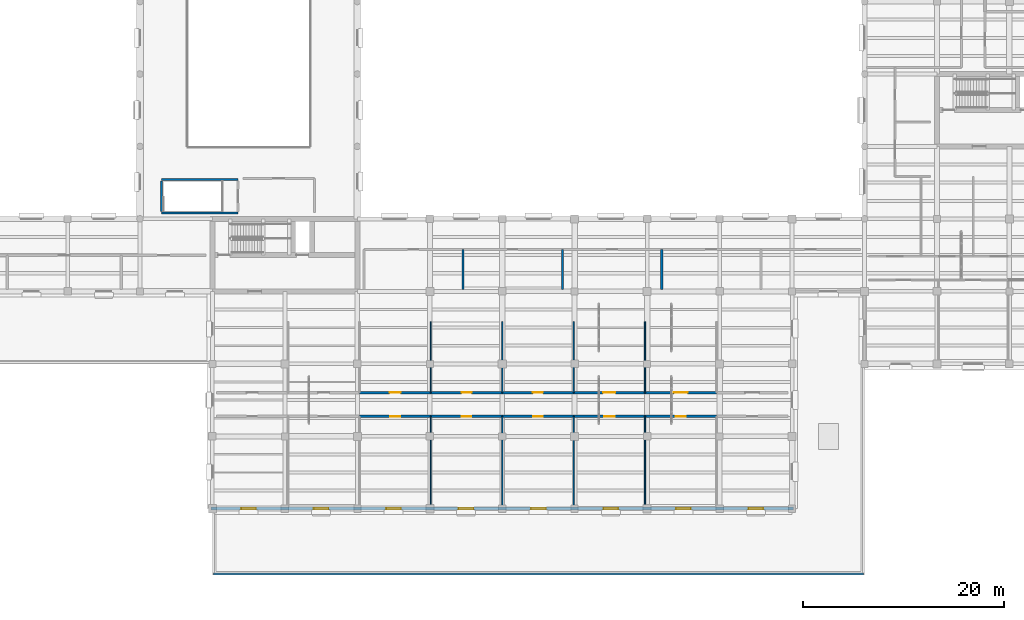
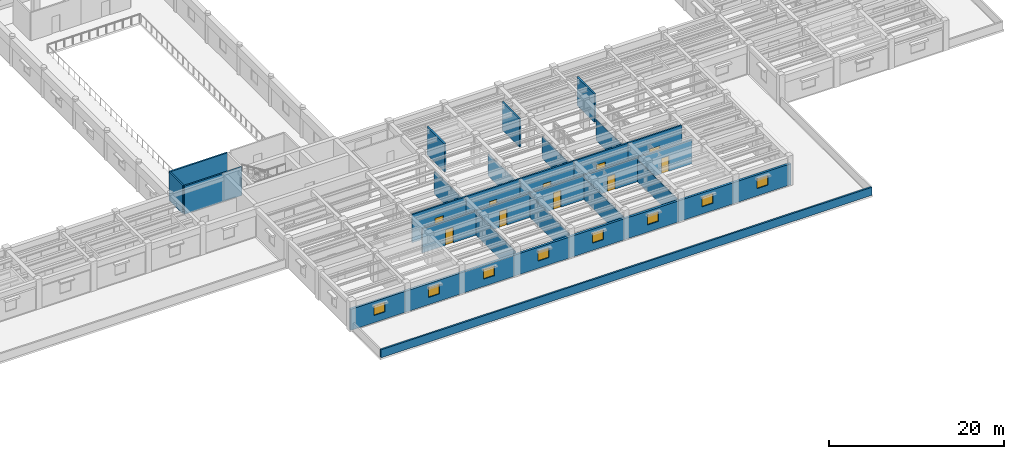
# One storey, part 51 of 76: 26 walls, 10 doors, 8 windows, 18 openings.
"""IFC4 building model written with IfcOpenShell, lengths in metres."""

import ifcopenshell
import ifcopenshell.guid

model = None  # the IFC model being written
_history = None  # IfcOwnerHistory: only IFC2X3 demands one
_inside = {}  # id of a spatial element -> (the spatial element, [elements in it])
_under = {}  # id of a project, library or spatial element -> (it, [spatial elements below it])
_declared = {}  # id of a project -> (the project, [libraries it declares])
_typed = {}  # id of a type object -> (the type object, [elements of that type])
_made_of = {}  # id of a material, layer set ... -> (it, [elements and type objects made of it])


def new_model(schema):
    """Start an empty IFC model of exactly this schema.

    Asked for "IFC4X3", IfcOpenShell would pick the latest addendum, in which some entities
    have other attributes; the version numbers below select the first issue.
    IFC2X3 requires an IfcOwnerHistory on every rooted entity: one is made here for all.
    """
    global model, _history
    if schema == "IFC4X3":
        model = ifcopenshell.file(schema_version=(4, 3, 0, 0))
    else:
        model = ifcopenshell.file(schema=schema)
    _inside.clear()
    _under.clear()
    _declared.clear()
    _typed.clear()
    _made_of.clear()
    _history = None
    if model.schema == "IFC2X3":
        org = make("IfcOrganization", Name="unknown")
        user = make(
            "IfcPersonAndOrganization",
            ThePerson=make("IfcPerson", FamilyName="unknown"),
            TheOrganization=org,
        )
        app = make(
            "IfcApplication",
            ApplicationDeveloper=org,
            Version="unknown",
            ApplicationFullName="unknown",
            ApplicationIdentifier="unknown",
        )
        _history = make(
            "IfcOwnerHistory",
            OwningUser=user,
            OwningApplication=app,
            ChangeAction="ADDED",
            CreationDate=0,
        )
    return model


def make(cls, **values):
    """One entity of the class cls with the attributes given. An attribute that is None is left unset."""
    return model.create_entity(
        cls, **{name: value for name, value in values.items() if value is not None}
    )


def rooted(cls, **values):
    """An entity with a GlobalId (a new one), such as an element, a storey or a relation."""
    return make(cls, GlobalId=ifcopenshell.guid.new(), OwnerHistory=_history, **values)


def si_unit(unit_type, name, prefix=None):
    """IfcSIUnit, for example si_unit("LENGTHUNIT", "METRE", prefix="MILLI")."""
    return make("IfcSIUnit", UnitType=unit_type, Prefix=prefix, Name=name)


def assignment(units):
    """IfcUnitAssignment: the units of a project."""
    return None if units is None else make("IfcUnitAssignment", Units=units)


def point(xyz):
    """IfcCartesianPoint."""
    return None if xyz is None else make("IfcCartesianPoint", Coordinates=xyz)


def direction(xyz):
    """IfcDirection."""
    return None if xyz is None else make("IfcDirection", DirectionRatios=xyz)


def frame(location, z_axis=None, x_axis=None):
    """IfcAxis2Placement3D, a coordinate frame: its origin and axes. An axis left out is left unset."""
    return make(
        "IfcAxis2Placement3D",
        Location=point(location),
        Axis=direction(z_axis),
        RefDirection=direction(x_axis),
    )


def frame_2d(location, x_axis=None):
    """IfcAxis2Placement2D, a coordinate frame in the plane: its origin and x axis."""
    return make(
        "IfcAxis2Placement2D", Location=point(location), RefDirection=direction(x_axis)
    )


def origin():
    """The frame at (0, 0, 0) with its axes left unset."""
    return frame((0.0, 0.0, 0.0))


def place(relative_to, where):
    """IfcLocalPlacement: puts the frame where relative to a parent placement (None: the world)."""
    return make(
        "IfcLocalPlacement", PlacementRelTo=relative_to, RelativePlacement=where
    )


def context(
    kind, dimensions, precision=None, world=None, true_north=None, identifier=None
):
    """IfcGeometricRepresentationContext, for example the 3D "Model" context."""
    return make(
        "IfcGeometricRepresentationContext",
        ContextIdentifier=identifier,
        ContextType=kind,
        CoordinateSpaceDimension=dimensions,
        Precision=precision,
        WorldCoordinateSystem=world,
        TrueNorth=true_north,
    )


def subcontext(parent, identifier, kind, view, scale=None):
    """IfcGeometricRepresentationSubContext, for example "Body" below "Model"."""
    return make(
        "IfcGeometricRepresentationSubContext",
        ContextIdentifier=identifier,
        ContextType=kind,
        ParentContext=parent,
        TargetScale=scale,
        TargetView=view,
    )


def project(units=None, contexts=None):
    """IfcProject with its units and contexts."""
    return rooted(
        "IfcProject",
        Name="project",
        RepresentationContexts=contexts,
        UnitsInContext=assignment(units),
    )


def spatial(cls, under=None, at=None, **own):
    """A site, building, storey or space (cls), placed at a placement, below another one or the project."""
    s = rooted(cls, ObjectPlacement=at, **own)
    if under is not None:
        _under.setdefault(under.id(), (under, []))[1].append(s)
    return s


def profile(cls, at=None, kind="AREA", **sizes):
    """A parametric profile (cls). Its sizes go by their IFC names, for example OverallWidth=200.0."""
    return make(cls, ProfileType=kind, Position=at, **sizes)


def rectangle(**sizes):
    """IfcRectangleProfileDef."""
    return profile("IfcRectangleProfileDef", **sizes)


def extrude(swept, where, along, depth):
    """IfcExtrudedAreaSolid: the profile swept, set in the frame where, extruded along a direction by depth."""
    return make(
        "IfcExtrudedAreaSolid",
        SweptArea=swept,
        Position=where,
        ExtrudedDirection=direction(along),
        Depth=depth,
    )


def shape(context_of_items, identifier, shape_type, items):
    """IfcShapeRepresentation: the items that make up one representation, for example the "Body"."""
    return make(
        "IfcShapeRepresentation",
        ContextOfItems=context_of_items,
        RepresentationIdentifier=identifier,
        RepresentationType=shape_type,
        Items=items,
    )


def material(Name=None, Category=None):
    """IfcMaterial."""
    return make("IfcMaterial", Name=Name, Category=Category)


def layer(
    of_material, thickness, ventilated=None, Name=None, Category=None, Priority=None
):
    """IfcMaterialLayer: one layer of a wall or slab, of a material (None: an air gap)."""
    return make(
        "IfcMaterialLayer",
        Material=of_material,
        LayerThickness=thickness,
        IsVentilated=ventilated,
        Name=Name,
        Category=Category,
        Priority=Priority,
    )


def layer_set(layers, Name=None):
    """IfcMaterialLayerSet."""
    return make("IfcMaterialLayerSet", MaterialLayers=layers, LayerSetName=Name)


def made_of(thing, what):
    """Note that an element or type object is made of a material, layer set ...; save() writes the relation."""
    if what is not None:
        _made_of.setdefault(what.id(), (what, []))[1].append(thing)
    return thing


def type_object(cls, material=None, **own):
    """A type object (cls), such as IfcWallType, which elements share."""
    return made_of(rooted(cls, **own), material)


def element(
    cls,
    number,
    at=None,
    inside=None,
    cuts=None,
    type_object=None,
    material=None,
    context=None,
    identifier="Body",
    shape_type=None,
    held_by="IfcProductDefinitionShape",
    body=None,
    shapes=None,
    **own,
):
    """One element of the class cls, such as IfcWall. Its Tag is "e" and its number.

    at: its placement. inside: the storey or other place that contains it. cuts: it is an
    opening in that element (IfcRelVoidsElement). A single representation is given by context,
    identifier, shape_type and body (its items); several are given by shapes. held_by: the class
    of the entity that holds the representations. save() writes the other relations.
    """
    e = rooted(cls, Tag="e%d" % number, ObjectPlacement=at, **own)
    if body is not None:
        shapes = [shape(context, identifier, shape_type, body)]
    if shapes is not None:
        e.Representation = make(held_by, Representations=shapes)
    if inside is not None:
        _inside.setdefault(inside.id(), (inside, []))[1].append(e)
    if cuts is not None:
        rooted(
            "IfcRelVoidsElement", RelatingBuildingElement=cuts, RelatedOpeningElement=e
        )
    if type_object is not None:
        _typed.setdefault(type_object.id(), (type_object, []))[1].append(e)
    return made_of(e, material)


def fill(opening, filler):
    """IfcRelFillsElement: the door or window that sits in an opening."""
    return rooted(
        "IfcRelFillsElement",
        RelatingOpeningElement=opening,
        RelatedBuildingElement=filler,
    )


def aggregate(whole, parts):
    """IfcRelAggregates: a whole, such as a stair, and the parts it consists of."""
    return rooted("IfcRelAggregates", RelatingObject=whole, RelatedObjects=parts)


def save(model, path):
    """Write the relations noted so far, then the file.

    IfcRelAggregates (storeys below a building ...), IfcRelContainedInSpatialStructure (elements
    in a storey), IfcRelDefinesByType, IfcRelAssociatesMaterial and IfcRelDeclares: one each for
    every whole, place, type object, material and project.
    """
    for whole, parts in _under.values():
        aggregate(whole, parts)
    for where, things in _inside.values():
        rooted(
            "IfcRelContainedInSpatialStructure",
            RelatedElements=things,
            RelatingStructure=where,
        )
    for kind, things in _typed.values():
        rooted("IfcRelDefinesByType", RelatedObjects=things, RelatingType=kind)
    for what, things in _made_of.values():
        rooted("IfcRelAssociatesMaterial", RelatedObjects=things, RelatingMaterial=what)
    for by, libraries in _declared.values():
        rooted("IfcRelDeclares", RelatingContext=by, RelatedDefinitions=libraries)
    model.write(path)


model = new_model("IFC4")

# Units and contexts
model_context = context("Model", 3, precision=1e-05, world=origin(), true_north=direction((0.0, 1.0)))
body_context = subcontext(model_context, "Body", "Model", "MODEL_VIEW")
ifc_project = project(units=[si_unit("LENGTHUNIT", "METRE"), si_unit("AREAUNIT", "SQUARE_METRE"), si_unit("VOLUMEUNIT", "CUBIC_METRE"), si_unit("PLANEANGLEUNIT", "RADIAN"), si_unit("MASSUNIT", "GRAM", prefix="KILO")], contexts=[model_context])

# Site, building, storey
site_placement = place(None, origin())
site = spatial("IfcSite", under=ifc_project, at=site_placement, CompositionType="ELEMENT")
building_placement = place(site_placement, origin())
building = spatial("IfcBuilding", under=site, at=building_placement, Name="Mithqara Police Headquarters", CompositionType="ELEMENT")
storey_placement = place(building_placement, frame((0.0, 0.0, 5.39990234375)))
storey = spatial("IfcBuildingStorey", under=building, at=storey_placement, Name="L01", CompositionType="ELEMENT", Elevation=5.39990234375)

# Wall, openings, windows
ifc_material_1 = material(Name="Ochre masonry cavity wall, 35 MPa", Category="masonry")
ifc_layer_1 = layer(ifc_material_1, 0.300048828125, Name="Ochre masonry cavity wall, 35 MPa")
ifc_layer_set_1 = layer_set([ifc_layer_1], Name="Ochre masonry cavity wall, 35 MPa")
wall_type_1 = type_object("IfcWallType", Name="EXT WALL OCHRE BRICK300", PredefinedType="SOLIDWALL", material=ifc_layer_set_1)
wall_1_placement = place(storey_placement, frame((79.64990234375, 6.60009765625, 0.0), z_axis=(0.0, 0.0, 1.0), x_axis=(1.0, 0.0, 0.0)))
wall_1 = element("IfcWall", 1, at=wall_1_placement, inside=storey, type_object=wall_type_1, Name="L01 Exterior Wall 2.1", PredefinedType="SOLIDWALL", context=body_context, shape_type="SweptSolid", body=[
    extrude(rectangle(XDim=57.900146484375, YDim=0.300048828125, at=frame_2d((28.9501953125, 0.0))), origin(), (0.0, 0.0, 1.0), 2.920166015625),
])
opening_1_placement = place(wall_1_placement, frame((3.02490234375, 0.0, 1.0)))
opening_1 = element("IfcOpeningElement", 2, at=opening_1_placement, cuts=wall_1, Name="Opening W-21", PredefinedType="OPENING", context=body_context, shape_type="SweptSolid", body=[
    extrude(rectangle(XDim=1.449951171875, YDim=1.39990234375, at=frame_2d((0.72509765625, 0.699951171875))), frame((0.0, 0.16015625, 0.0), z_axis=(0.0, -1.0, 0.0), x_axis=(1.0, 0.0, 0.0)), (0.0, 0.0, 1.0), 0.320068359375),
])
opening_2_placement = place(wall_1_placement, frame((10.22509765625, 0.0, 1.0)))
opening_2 = element("IfcOpeningElement", 3, at=opening_2_placement, cuts=wall_1, Name="Opening W-21", PredefinedType="OPENING", context=body_context, shape_type="SweptSolid", body=[
    extrude(rectangle(XDim=1.449951171875, YDim=1.39990234375, at=frame_2d((0.72509765625, 0.699951171875))), frame((0.0, 0.16015625, 0.0), z_axis=(0.0, -1.0, 0.0), x_axis=(1.0, 0.0, 0.0)), (0.0, 0.0, 1.0), 0.320068359375),
])
opening_3_placement = place(wall_1_placement, frame((17.425048828125, 0.0, 1.0)))
opening_3 = element("IfcOpeningElement", 4, at=opening_3_placement, cuts=wall_1, Name="Opening W-21", PredefinedType="OPENING", context=body_context, shape_type="SweptSolid", body=[
    extrude(rectangle(XDim=1.449951171875, YDim=1.39990234375, at=frame_2d((0.72509765625, 0.699951171875))), frame((0.0, 0.16015625, 0.0), z_axis=(0.0, -1.0, 0.0), x_axis=(1.0, 0.0, 0.0)), (0.0, 0.0, 1.0), 0.320068359375),
])
opening_4_placement = place(wall_1_placement, frame((24.625, 0.0, 1.0)))
opening_4 = element("IfcOpeningElement", 5, at=opening_4_placement, cuts=wall_1, Name="Opening W-21", PredefinedType="OPENING", context=body_context, shape_type="SweptSolid", body=[
    extrude(rectangle(XDim=1.449951171875, YDim=1.39990234375, at=frame_2d((0.72509765625, 0.699951171875))), frame((0.0, 0.16015625, 0.0), z_axis=(0.0, -1.0, 0.0), x_axis=(1.0, 0.0, 0.0)), (0.0, 0.0, 1.0), 0.320068359375),
])
opening_5_placement = place(wall_1_placement, frame((31.824951171875, 0.0, 1.0)))
opening_5 = element("IfcOpeningElement", 6, at=opening_5_placement, cuts=wall_1, Name="Opening W-21", PredefinedType="OPENING", context=body_context, shape_type="SweptSolid", body=[
    extrude(rectangle(XDim=1.449951171875, YDim=1.39990234375, at=frame_2d((0.72509765625, 0.699951171875))), frame((0.0, 0.16015625, 0.0), z_axis=(0.0, -1.0, 0.0), x_axis=(1.0, 0.0, 0.0)), (0.0, 0.0, 1.0), 0.320068359375),
])
opening_6_placement = place(wall_1_placement, frame((39.02490234375, 0.0, 1.0)))
opening_6 = element("IfcOpeningElement", 7, at=opening_6_placement, cuts=wall_1, Name="Opening W-21", PredefinedType="OPENING", context=body_context, shape_type="SweptSolid", body=[
    extrude(rectangle(XDim=1.449951171875, YDim=1.39990234375, at=frame_2d((0.72509765625, 0.699951171875))), frame((0.0, 0.16015625, 0.0), z_axis=(0.0, -1.0, 0.0), x_axis=(1.0, 0.0, 0.0)), (0.0, 0.0, 1.0), 0.320068359375),
])
opening_7_placement = place(wall_1_placement, frame((46.22509765625, 0.0, 1.0)))
opening_7 = element("IfcOpeningElement", 8, at=opening_7_placement, cuts=wall_1, Name="Opening W-21", PredefinedType="OPENING", context=body_context, shape_type="SweptSolid", body=[
    extrude(rectangle(XDim=1.449951171875, YDim=1.39990234375, at=frame_2d((0.72509765625, 0.699951171875))), frame((0.0, 0.16015625, 0.0), z_axis=(0.0, -1.0, 0.0), x_axis=(1.0, 0.0, 0.0)), (0.0, 0.0, 1.0), 0.320068359375),
])
opening_8_placement = place(wall_1_placement, frame((53.425048828125, 0.0, 1.0)))
opening_8 = element("IfcOpeningElement", 9, at=opening_8_placement, cuts=wall_1, Name="Opening W-21", PredefinedType="OPENING", context=body_context, shape_type="SweptSolid", body=[
    extrude(rectangle(XDim=1.449951171875, YDim=1.39990234375, at=frame_2d((0.72509765625, 0.699951171875))), frame((0.0, 0.16015625, 0.0), z_axis=(0.0, -1.0, 0.0), x_axis=(1.0, 0.0, 0.0)), (0.0, 0.0, 1.0), 0.320068359375),
])
ifc_material_2 = material(Name="Spectrally selective double low-e glass", Category="glass")
window_type = type_object("IfcWindowType", Name="WINDOW 1450X1400", PartitioningType="SINGLE_PANEL", PredefinedType="WINDOW", material=ifc_material_2)
window_1_placement = place(opening_1_placement, origin())
window_1 = element("IfcWindow", 10, at=window_1_placement, inside=storey, type_object=window_type, Name="L01 Deep-Set Punched Window 2.1", OverallHeight=1.39990234375, OverallWidth=1.449951171875, PartitioningType="SINGLE_PANEL", PredefinedType="WINDOW", context=body_context, shape_type="SweptSolid", body=[
    extrude(rectangle(XDim=1.449951171875, YDim=1.39990234375, at=frame_2d((0.72509765625, 0.699951171875))), frame((0.0, 0.030029296875, 0.0), z_axis=(0.0, -1.0, 0.0), x_axis=(1.0, 0.0, 0.0)), (0.0, 0.0, 1.0), 0.06005859375),
])
fill(opening_1, window_1)
window_2_placement = place(opening_2_placement, origin())
window_2 = element("IfcWindow", 11, at=window_2_placement, inside=storey, type_object=window_type, Name="L01 Deep-Set Punched Window 2.2", OverallHeight=1.39990234375, OverallWidth=1.449951171875, PartitioningType="SINGLE_PANEL", PredefinedType="WINDOW", context=body_context, shape_type="SweptSolid", body=[
    extrude(rectangle(XDim=1.449951171875, YDim=1.39990234375, at=frame_2d((0.72509765625, 0.699951171875))), frame((0.0, 0.030029296875, 0.0), z_axis=(0.0, -1.0, 0.0), x_axis=(1.0, 0.0, 0.0)), (0.0, 0.0, 1.0), 0.06005859375),
])
fill(opening_2, window_2)
window_3_placement = place(opening_3_placement, origin())
window_3 = element("IfcWindow", 12, at=window_3_placement, inside=storey, type_object=window_type, Name="L01 Deep-Set Punched Window 2.3", OverallHeight=1.39990234375, OverallWidth=1.449951171875, PartitioningType="SINGLE_PANEL", PredefinedType="WINDOW", context=body_context, shape_type="SweptSolid", body=[
    extrude(rectangle(XDim=1.449951171875, YDim=1.39990234375, at=frame_2d((0.72509765625, 0.699951171875))), frame((0.0, 0.030029296875, 0.0), z_axis=(0.0, -1.0, 0.0), x_axis=(1.0, 0.0, 0.0)), (0.0, 0.0, 1.0), 0.06005859375),
])
fill(opening_3, window_3)
window_4_placement = place(opening_4_placement, origin())
window_4 = element("IfcWindow", 13, at=window_4_placement, inside=storey, type_object=window_type, Name="L01 Deep-Set Punched Window 2.4", OverallHeight=1.39990234375, OverallWidth=1.449951171875, PartitioningType="SINGLE_PANEL", PredefinedType="WINDOW", context=body_context, shape_type="SweptSolid", body=[
    extrude(rectangle(XDim=1.449951171875, YDim=1.39990234375, at=frame_2d((0.72509765625, 0.699951171875))), frame((0.0, 0.030029296875, 0.0), z_axis=(0.0, -1.0, 0.0), x_axis=(1.0, 0.0, 0.0)), (0.0, 0.0, 1.0), 0.06005859375),
])
fill(opening_4, window_4)
window_5_placement = place(opening_5_placement, origin())
window_5 = element("IfcWindow", 14, at=window_5_placement, inside=storey, type_object=window_type, Name="L01 Deep-Set Punched Window 2.5", OverallHeight=1.39990234375, OverallWidth=1.449951171875, PartitioningType="SINGLE_PANEL", PredefinedType="WINDOW", context=body_context, shape_type="SweptSolid", body=[
    extrude(rectangle(XDim=1.449951171875, YDim=1.39990234375, at=frame_2d((0.72509765625, 0.699951171875))), frame((0.0, 0.030029296875, 0.0), z_axis=(0.0, -1.0, 0.0), x_axis=(1.0, 0.0, 0.0)), (0.0, 0.0, 1.0), 0.06005859375),
])
fill(opening_5, window_5)
window_6_placement = place(opening_6_placement, origin())
window_6 = element("IfcWindow", 15, at=window_6_placement, inside=storey, type_object=window_type, Name="L01 Deep-Set Punched Window 2.6", OverallHeight=1.39990234375, OverallWidth=1.449951171875, PartitioningType="SINGLE_PANEL", PredefinedType="WINDOW", context=body_context, shape_type="SweptSolid", body=[
    extrude(rectangle(XDim=1.449951171875, YDim=1.39990234375, at=frame_2d((0.72509765625, 0.699951171875))), frame((0.0, 0.030029296875, 0.0), z_axis=(0.0, -1.0, 0.0), x_axis=(1.0, 0.0, 0.0)), (0.0, 0.0, 1.0), 0.06005859375),
])
fill(opening_6, window_6)
window_7_placement = place(opening_7_placement, origin())
window_7 = element("IfcWindow", 16, at=window_7_placement, inside=storey, type_object=window_type, Name="L01 Deep-Set Punched Window 2.7", OverallHeight=1.39990234375, OverallWidth=1.449951171875, PartitioningType="SINGLE_PANEL", PredefinedType="WINDOW", context=body_context, shape_type="SweptSolid", body=[
    extrude(rectangle(XDim=1.449951171875, YDim=1.39990234375, at=frame_2d((0.72509765625, 0.699951171875))), frame((0.0, 0.030029296875, 0.0), z_axis=(0.0, -1.0, 0.0), x_axis=(1.0, 0.0, 0.0)), (0.0, 0.0, 1.0), 0.06005859375),
])
fill(opening_7, window_7)
window_8_placement = place(opening_8_placement, origin())
window_8 = element("IfcWindow", 17, at=window_8_placement, inside=storey, type_object=window_type, Name="L01 Deep-Set Punched Window 2.8", OverallHeight=1.39990234375, OverallWidth=1.449951171875, PartitioningType="SINGLE_PANEL", PredefinedType="WINDOW", context=body_context, shape_type="SweptSolid", body=[
    extrude(rectangle(XDim=1.449951171875, YDim=1.39990234375, at=frame_2d((0.72509765625, 0.699951171875))), frame((0.0, 0.030029296875, 0.0), z_axis=(0.0, -1.0, 0.0), x_axis=(1.0, 0.0, 0.0)), (0.0, 0.0, 1.0), 0.06005859375),
])
fill(opening_8, window_8)

# Walls
ifc_material_3 = material(Name="Limestone ashlar masonry, 45 MPa", Category="masonry")
ifc_layer_2 = layer(ifc_material_3, 0.219970703125, Name="Limestone ashlar masonry, 45 MPa")
ifc_layer_set_2 = layer_set([ifc_layer_2], Name="Limestone ashlar masonry, 45 MPa")
wall_type_2 = type_object("IfcWallType", Name="PARAPET WALL 220", PredefinedType="PARAPET", material=ifc_layer_set_2)
wall_2_placement = place(storey_placement, frame((144.489990234375, 0.110107421875, 0.0), z_axis=(0.0, 0.0, 1.0), x_axis=(-1.0, 0.0, 0.0)))
element("IfcWall", 18, at=wall_2_placement, inside=storey, type_object=wall_type_2, Name="L01 Limestone Roof Parapet ROOF-L00-03-71", PredefinedType="PARAPET", context=body_context, shape_type="SweptSolid", body=[
    extrude(rectangle(XDim=64.580078125, YDim=0.219970703125, at=frame_2d((32.2900390625, 0.0))), origin(), (0.0, 0.0, 1.0), 1.1201171875),
])
ifc_material_4 = material(Name="Gypsum acoustic stud partition", Category="gypsum")
ifc_layer_3 = layer(ifc_material_4, 0.1201171875, Name="Gypsum acoustic stud partition")
ifc_layer_set_3 = layer_set([ifc_layer_3], Name="Gypsum acoustic stud partition")
wall_type_3 = type_object("IfcWallType", Name="PART WALL 120", PredefinedType="PARTITIONING", material=ifc_layer_set_3)
wall_3_placement = place(storey_placement, frame((101.5048828125, 6.780029296875, 0.0), z_axis=(0.0, 0.0, 1.0), x_axis=(0.0, 1.0, 0.0)))
element("IfcWall", 19, at=wall_3_placement, inside=storey, type_object=wall_type_3, Name="L01 Room Partition Custody Cell Block Female", PredefinedType="PARTITIONING", context=body_context, shape_type="SweptSolid", body=[
    extrude(rectangle(XDim=9.010009765625, YDim=0.1201171875, at=frame_2d((4.5048828125, 0.0))), origin(), (0.0, 0.0, 1.0), 3.170166015625),
])
wall_4_placement = place(storey_placement, frame((108.60009765625, 6.780029296875, 0.0), z_axis=(0.0, 0.0, 1.0), x_axis=(0.0, 1.0, 0.0)))
element("IfcWall", 20, at=wall_4_placement, inside=storey, type_object=wall_type_3, Name="L01 Room Partition Juvenile Custody Suite", PredefinedType="PARTITIONING", context=body_context, shape_type="SweptSolid", body=[
    extrude(rectangle(XDim=9.010009765625, YDim=0.1201171875, at=frame_2d((4.5048828125, 0.0))), origin(), (0.0, 0.0, 1.0), 3.1201171875),
])
wall_5_placement = place(storey_placement, frame((115.695068359375, 6.780029296875, 0.0), z_axis=(0.0, 0.0, 1.0), x_axis=(0.0, 1.0, 0.0)))
element("IfcWall", 21, at=wall_5_placement, inside=storey, type_object=wall_type_3, Name="L01 Room Partition Custody Interview Room", PredefinedType="PARTITIONING", context=body_context, shape_type="SweptSolid", body=[
    extrude(rectangle(XDim=9.010009765625, YDim=0.1201171875, at=frame_2d((4.5048828125, 0.0))), origin(), (0.0, 0.0, 1.0), 3.070068359375),
])
wall_6_placement = place(storey_placement, frame((122.7900390625, 6.780029296875, 0.0), z_axis=(0.0, 0.0, 1.0), x_axis=(0.0, 1.0, 0.0)))
element("IfcWall", 22, at=wall_6_placement, inside=storey, type_object=wall_type_3, Name="L01 Room Partition Custody Suite", PredefinedType="PARTITIONING", context=body_context, shape_type="SweptSolid", body=[
    extrude(rectangle(XDim=9.010009765625, YDim=0.1201171875, at=frame_2d((4.5048828125, 0.0))), origin(), (0.0, 0.0, 1.0), 3.02001953125),
])
wall_7_placement = place(storey_placement, frame((101.5048828125, 18.1298828125, 0.0), z_axis=(0.0, 0.0, 1.0), x_axis=(0.0, 1.0, 0.0)))
element("IfcWall", 23, at=wall_7_placement, inside=storey, type_object=wall_type_3, Name="L01 Room Partition Custody Suite", PredefinedType="PARTITIONING", context=body_context, shape_type="SweptSolid", body=[
    extrude(rectangle(XDim=7.070068359375, YDim=0.1201171875, at=frame_2d((3.53515625, 0.0))), origin(), (0.0, 0.0, 1.0), 3.1201171875),
])
wall_8_placement = place(storey_placement, frame((108.60009765625, 18.1298828125, 0.0), z_axis=(0.0, 0.0, 1.0), x_axis=(0.0, 1.0, 0.0)))
element("IfcWall", 24, at=wall_8_placement, inside=storey, type_object=wall_type_3, Name="L01 Room Partition Custody Cell Block Male", PredefinedType="PARTITIONING", context=body_context, shape_type="SweptSolid", body=[
    extrude(rectangle(XDim=7.070068359375, YDim=0.1201171875, at=frame_2d((3.53515625, 0.0))), origin(), (0.0, 0.0, 1.0), 3.070068359375),
])
wall_9_placement = place(storey_placement, frame((115.695068359375, 18.1298828125, 0.0), z_axis=(0.0, 0.0, 1.0), x_axis=(0.0, 1.0, 0.0)))
element("IfcWall", 25, at=wall_9_placement, inside=storey, type_object=wall_type_3, Name="L01 Room Partition Custody Cell Block Female", PredefinedType="PARTITIONING", context=body_context, shape_type="SweptSolid", body=[
    extrude(rectangle(XDim=7.070068359375, YDim=0.1201171875, at=frame_2d((3.53515625, 0.0))), origin(), (0.0, 0.0, 1.0), 3.02001953125),
])
wall_10_placement = place(storey_placement, frame((122.7900390625, 18.1298828125, 0.0), z_axis=(0.0, 0.0, 1.0), x_axis=(0.0, 1.0, 0.0)))
element("IfcWall", 26, at=wall_10_placement, inside=storey, type_object=wall_type_3, Name="L01 Room Partition Juvenile Custody Suite", PredefinedType="PARTITIONING", context=body_context, shape_type="SweptSolid", body=[
    extrude(rectangle(XDim=7.070068359375, YDim=0.1201171875, at=frame_2d((3.53515625, 0.0))), origin(), (0.0, 0.0, 1.0), 2.920166015625),
])
ifc_material_5 = material(Name="Concrete C40/50", Category="concrete")
ifc_layer_4 = layer(ifc_material_5, 0.2099609375, Name="Concrete C40/50")
ifc_layer_set_4 = layer_set([ifc_layer_4], Name="Concrete C40/50")
wall_type_4 = type_object("IfcWallType", Name="PART WALL 210", PredefinedType="PARTITIONING", material=ifc_layer_set_4)
for number, where, z_axis, x_axis, name in (
    (27, (74.75, 36.0, 0.0), (0.0, 0.0, 1.0), (1.0, 0.0, 0.0), "L01 ST-05 Stair Enclosure Wall S"),
    (28, (74.75, 39.300048828125, 0.0), (0.0, 0.0, 1.0), (1.0, 0.0, 0.0), "L01 ST-05 Stair Enclosure Wall N"),
):
    element("IfcWall", number, at=place(storey_placement, frame(where, z_axis=z_axis, x_axis=x_axis)), inside=storey, type_object=wall_type_4, Name=name, PredefinedType="PARTITIONING", context=body_context, shape_type="SweptSolid", body=[
        extrude(rectangle(XDim=7.60009765625, YDim=0.2099609375, at=frame_2d((3.800048828125, 0.0))), origin(), (0.0, 0.0, 1.0), 3.920166015625),
    ])
wall_11_placement = place(storey_placement, frame((74.75, 36.114990234375, 0.0), z_axis=(0.0, 0.0, 1.0), x_axis=(0.0, 1.0, 0.0)))
element("IfcWall", 29, at=wall_11_placement, inside=storey, type_object=wall_type_4, Name="L01 ST-05 Stair Enclosure Wall W", PredefinedType="PARTITIONING", context=body_context, shape_type="SweptSolid", body=[
    extrude(rectangle(XDim=3.070068359375, YDim=0.2099609375, at=frame_2d((1.53515625, 0.0))), origin(), (0.0, 0.0, 1.0), 3.920166015625),
])
for number, where, z_axis, x_axis, name in (
    (30, (104.716064453125, 28.3798828125, 0.0), (0.0, 0.0, 1.0), (0.0, 1.0, 0.0), "L01 Room Partition Juvenile Welfare Consultation Room"),
    (31, (114.58203125, 28.3798828125, 0.0), (0.0, 0.0, 1.0), (0.0, 1.0, 0.0), "L01 Room Partition Family Protection Suite"),
    (32, (124.447998046875, 28.3798828125, 0.0), (0.0, 0.0, 1.0), (0.0, 1.0, 0.0), "L01 Room Partition Duty Advocates' Room"),
):
    element("IfcWall", number, at=place(storey_placement, frame(where, z_axis=z_axis, x_axis=x_axis)), inside=storey, type_object=wall_type_4, Name=name, PredefinedType="PARTITIONING", context=body_context, shape_type="SweptSolid", body=[
        extrude(rectangle(XDim=3.980224609375, YDim=0.2099609375, at=frame_2d((1.990234375, 0.0))), origin(), (0.0, 0.0, 1.0), 3.920166015625),
    ])

# Wall, opening, door
wall_12_placement = place(storey_placement, frame((94.409912109375, 15.7900390625, 0.0), z_axis=(0.0, 0.0, 1.0), x_axis=(1.0, 0.0, 0.0)))
wall_12 = element("IfcWall", 33, at=wall_12_placement, inside=storey, type_object=wall_type_4, Name="L01 Corridor Wall Custody Cell Block Female", PredefinedType="PARTITIONING", context=body_context, shape_type="SweptSolid", body=[
    extrude(rectangle(XDim=7.094970703125, YDim=0.2099609375, at=frame_2d((3.54736328125, 0.0))), origin(), (0.0, 0.0, 1.0), 3.3701171875),
])
opening_9_placement = place(wall_12_placement, frame((3.047607421875, 0.0, 0.0)))
opening_9 = element("IfcOpeningElement", 34, at=opening_9_placement, cuts=wall_12, Name="Opening CD-01", PredefinedType="OPENING", context=body_context, shape_type="SweptSolid", body=[
    extrude(rectangle(XDim=1.0, YDim=2.14990234375, at=frame_2d((0.5, 1.074951171875))), frame((0.0, 0.114990234375, 0.0), z_axis=(0.0, -1.0, 0.0), x_axis=(1.0, 0.0, 0.0)), (0.0, 0.0, 1.0), 0.22998046875),
])
ifc_material_6 = material(Name="Steel S355JR", Category="steel")
door_type_1 = type_object("IfcDoorType", Name="CUSTODY DOOR 1000X2150", OperationType="NOTDEFINED", PredefinedType="DOOR", material=ifc_material_6)
door_1_placement = place(opening_9_placement, frame((1.0, 0.0, 0.0), z_axis=(0.0, 0.0, 1.0), x_axis=(-1.0, 0.0, 0.0)))
door_1 = element("IfcDoor", 35, at=door_1_placement, inside=storey, type_object=door_type_1, Name="Custody Cell Block Female Entry Door", OperationType="SINGLE_SWING_LEFT", OverallHeight=2.14990234375, OverallWidth=1.0, PredefinedType="DOOR", context=body_context, shape_type="SweptSolid", body=[
    extrude(rectangle(XDim=1.0, YDim=2.14990234375, at=frame_2d((0.5, 1.074951171875))), frame((0.0, 0.02490234375, 0.0), z_axis=(0.0, -1.0, 0.0), x_axis=(1.0, 0.0, 0.0)), (0.0, 0.0, 1.0), 0.050048828125),
])
fill(opening_9, door_1)

wall_13_placement = place(storey_placement, frame((101.5048828125, 15.7900390625, 0.0), z_axis=(0.0, 0.0, 1.0), x_axis=(1.0, 0.0, 0.0)))
wall_13 = element("IfcWall", 36, at=wall_13_placement, inside=storey, type_object=wall_type_4, Name="L01 Corridor Wall Juvenile Custody Suite", PredefinedType="PARTITIONING", context=body_context, shape_type="SweptSolid", body=[
    extrude(rectangle(XDim=7.09521484375, YDim=0.2099609375, at=frame_2d((3.547607421875, 0.0))), origin(), (0.0, 0.0, 1.0), 3.3701171875),
])
opening_10_placement = place(wall_13_placement, frame((3.0576171875, 0.0, 0.0)))
opening_10 = element("IfcOpeningElement", 37, at=opening_10_placement, cuts=wall_13, Name="Opening D-05", PredefinedType="OPENING", context=body_context, shape_type="SweptSolid", body=[
    extrude(rectangle(XDim=0.97998046875, YDim=2.219970703125, at=frame_2d((0.489990234375, 1.10986328125))), frame((0.0, 0.114990234375, 0.0), z_axis=(0.0, -1.0, 0.0), x_axis=(1.0, 0.0, 0.0)), (0.0, 0.0, 1.0), 0.22998046875),
])
ifc_material_7 = material(Name="Acoustic solid-core timber leaf", Category="wood")
door_type_2 = type_object("IfcDoorType", Name="INT DOOR 980X2220", OperationType="NOTDEFINED", PredefinedType="DOOR", material=ifc_material_7)
door_2_placement = place(opening_10_placement, frame((0.97998046875, 0.0, 0.0), z_axis=(0.0, 0.0, 1.0), x_axis=(-1.0, 0.0, 0.0)))
door_2 = element("IfcDoor", 38, at=door_2_placement, inside=storey, type_object=door_type_2, Name="Juvenile Custody Suite Entry Door", OperationType="SINGLE_SWING_RIGHT", OverallHeight=2.219970703125, OverallWidth=0.97998046875, PredefinedType="DOOR", context=body_context, shape_type="SweptSolid", body=[
    extrude(rectangle(XDim=0.97998046875, YDim=2.219970703125, at=frame_2d((0.489990234375, 1.10986328125))), frame((0.0, 0.02490234375, 0.0), z_axis=(0.0, -1.0, 0.0), x_axis=(1.0, 0.0, 0.0)), (0.0, 0.0, 1.0), 0.050048828125),
])
fill(opening_10, door_2)

wall_14_placement = place(storey_placement, frame((108.60009765625, 15.7900390625, 0.0), z_axis=(0.0, 0.0, 1.0), x_axis=(1.0, 0.0, 0.0)))
wall_14 = element("IfcWall", 39, at=wall_14_placement, inside=storey, type_object=wall_type_4, Name="L01 Corridor Wall Custody Interview Room", PredefinedType="PARTITIONING", context=body_context, shape_type="SweptSolid", body=[
    extrude(rectangle(XDim=7.094970703125, YDim=0.2099609375, at=frame_2d((3.54736328125, 0.0))), origin(), (0.0, 0.0, 1.0), 3.3701171875),
])
opening_11_placement = place(wall_14_placement, frame((3.0576171875, 0.0, 0.0)))
opening_11 = element("IfcOpeningElement", 40, at=opening_11_placement, cuts=wall_14, Name="Opening D-06", PredefinedType="OPENING", context=body_context, shape_type="SweptSolid", body=[
    extrude(rectangle(XDim=0.97998046875, YDim=2.35009765625, at=frame_2d((0.489990234375, 1.175048828125))), frame((0.0, 0.114990234375, 0.0), z_axis=(0.0, -1.0, 0.0), x_axis=(1.0, 0.0, 0.0)), (0.0, 0.0, 1.0), 0.22998046875),
])
door_type_3 = type_object("IfcDoorType", Name="INT DOOR 980X2350", OperationType="NOTDEFINED", PredefinedType="DOOR", material=ifc_material_7)
door_3_placement = place(opening_11_placement, frame((0.97998046875, 0.0, 0.0), z_axis=(0.0, 0.0, 1.0), x_axis=(-1.0, 0.0, 0.0)))
door_3 = element("IfcDoor", 41, at=door_3_placement, inside=storey, type_object=door_type_3, Name="Custody Interview Room Entry Door", OperationType="SINGLE_SWING_LEFT", OverallHeight=2.35009765625, OverallWidth=0.97998046875, PredefinedType="DOOR", context=body_context, shape_type="SweptSolid", body=[
    extrude(rectangle(XDim=0.97998046875, YDim=2.35009765625, at=frame_2d((0.489990234375, 1.175048828125))), frame((0.0, 0.02490234375, 0.0), z_axis=(0.0, -1.0, 0.0), x_axis=(1.0, 0.0, 0.0)), (0.0, 0.0, 1.0), 0.050048828125),
])
fill(opening_11, door_3)

wall_15_placement = place(storey_placement, frame((115.695068359375, 15.7900390625, 0.0), z_axis=(0.0, 0.0, 1.0), x_axis=(1.0, 0.0, 0.0)))
wall_15 = element("IfcWall", 42, at=wall_15_placement, inside=storey, type_object=wall_type_4, Name="L01 Corridor Wall Custody Suite", PredefinedType="PARTITIONING", context=body_context, shape_type="SweptSolid", body=[
    extrude(rectangle(XDim=7.094970703125, YDim=0.2099609375, at=frame_2d((3.54736328125, 0.0))), origin(), (0.0, 0.0, 1.0), 3.3701171875),
])
opening_12_placement = place(wall_15_placement, frame((3.027587890625, 0.0, 0.0)))
opening_12 = element("IfcOpeningElement", 43, at=opening_12_placement, cuts=wall_15, Name="Opening D-07", PredefinedType="OPENING", context=body_context, shape_type="SweptSolid", body=[
    extrude(rectangle(XDim=1.0400390625, YDim=2.10009765625, at=frame_2d((0.52001953125, 1.050048828125))), frame((0.0, 0.114990234375, 0.0), z_axis=(0.0, -1.0, 0.0), x_axis=(1.0, 0.0, 0.0)), (0.0, 0.0, 1.0), 0.22998046875),
])
door_type_4 = type_object("IfcDoorType", Name="INT DOOR 1040X2100", OperationType="NOTDEFINED", PredefinedType="DOOR", material=ifc_material_7)
door_4_placement = place(opening_12_placement, frame((1.0400390625, 0.0, 0.0), z_axis=(0.0, 0.0, 1.0), x_axis=(-1.0, 0.0, 0.0)))
door_4 = element("IfcDoor", 44, at=door_4_placement, inside=storey, type_object=door_type_4, Name="Custody Suite Entry Door", OperationType="SINGLE_SWING_RIGHT", OverallHeight=2.10009765625, OverallWidth=1.0400390625, PredefinedType="DOOR", context=body_context, shape_type="SweptSolid", body=[
    extrude(rectangle(XDim=1.0400390625, YDim=2.10009765625, at=frame_2d((0.52001953125, 1.050048828125))), frame((0.0, 0.02490234375, 0.0), z_axis=(0.0, -1.0, 0.0), x_axis=(1.0, 0.0, 0.0)), (0.0, 0.0, 1.0), 0.050048828125),
])
fill(opening_12, door_4)

wall_16_placement = place(storey_placement, frame((122.7900390625, 15.7900390625, 0.0), z_axis=(0.0, 0.0, 1.0), x_axis=(1.0, 0.0, 0.0)))
wall_16 = element("IfcWall", 45, at=wall_16_placement, inside=storey, type_object=wall_type_4, Name="L01 Corridor Wall Custody Cell Block Male", PredefinedType="PARTITIONING", context=body_context, shape_type="SweptSolid", body=[
    extrude(rectangle(XDim=7.094970703125, YDim=0.2099609375, at=frame_2d((3.54736328125, 0.0))), origin(), (0.0, 0.0, 1.0), 3.3701171875),
])
opening_13_placement = place(wall_16_placement, frame((3.047607421875, 0.0, 0.0)))
opening_13 = element("IfcOpeningElement", 46, at=opening_13_placement, cuts=wall_16, Name="Opening CD-01", PredefinedType="OPENING", context=body_context, shape_type="SweptSolid", body=[
    extrude(rectangle(XDim=1.0, YDim=2.14990234375, at=frame_2d((0.5, 1.074951171875))), frame((0.0, 0.114990234375, 0.0), z_axis=(0.0, -1.0, 0.0), x_axis=(1.0, 0.0, 0.0)), (0.0, 0.0, 1.0), 0.22998046875),
])
door_5_placement = place(opening_13_placement, frame((1.0, 0.0, 0.0), z_axis=(0.0, 0.0, 1.0), x_axis=(-1.0, 0.0, 0.0)))
door_5 = element("IfcDoor", 47, at=door_5_placement, inside=storey, type_object=door_type_1, Name="Custody Cell Block Male Entry Door", OperationType="SINGLE_SWING_LEFT", OverallHeight=2.14990234375, OverallWidth=1.0, PredefinedType="DOOR", context=body_context, shape_type="SweptSolid", body=[
    extrude(rectangle(XDim=1.0, YDim=2.14990234375, at=frame_2d((0.5, 1.074951171875))), frame((0.0, 0.02490234375, 0.0), z_axis=(0.0, -1.0, 0.0), x_axis=(1.0, 0.0, 0.0)), (0.0, 0.0, 1.0), 0.050048828125),
])
fill(opening_13, door_5)

wall_17_placement = place(storey_placement, frame((94.409912109375, 18.1298828125, 0.0), z_axis=(0.0, 0.0, 1.0), x_axis=(1.0, 0.0, 0.0)))
wall_17 = element("IfcWall", 48, at=wall_17_placement, inside=storey, type_object=wall_type_4, Name="L01 Corridor Wall Custody Suite", PredefinedType="PARTITIONING", context=body_context, shape_type="SweptSolid", body=[
    extrude(rectangle(XDim=7.094970703125, YDim=0.2099609375, at=frame_2d((3.54736328125, 0.0))), origin(), (0.0, 0.0, 1.0), 3.920166015625),
])
opening_14_placement = place(wall_17_placement, frame((2.99755859375, 0.0, 0.0)))
opening_14 = element("IfcOpeningElement", 49, at=opening_14_placement, cuts=wall_17, Name="Opening D-12", PredefinedType="OPENING", context=body_context, shape_type="SweptSolid", body=[
    extrude(rectangle(XDim=1.10009765625, YDim=2.35009765625, at=frame_2d((0.550048828125, 1.175048828125))), frame((0.0, 0.114990234375, 0.0), z_axis=(0.0, -1.0, 0.0), x_axis=(1.0, 0.0, 0.0)), (0.0, 0.0, 1.0), 0.22998046875),
])
door_type_5 = type_object("IfcDoorType", Name="INT DOOR 1100X2350", OperationType="NOTDEFINED", PredefinedType="DOOR", material=ifc_material_7)
door_6_placement = place(opening_14_placement, origin())
door_6 = element("IfcDoor", 50, at=door_6_placement, inside=storey, type_object=door_type_5, Name="Custody Suite Entry Door", OperationType="SINGLE_SWING_LEFT", OverallHeight=2.35009765625, OverallWidth=1.10009765625, PredefinedType="DOOR", context=body_context, shape_type="SweptSolid", body=[
    extrude(rectangle(XDim=1.10009765625, YDim=2.35009765625, at=frame_2d((0.550048828125, 1.175048828125))), frame((0.0, 0.02490234375, 0.0), z_axis=(0.0, -1.0, 0.0), x_axis=(1.0, 0.0, 0.0)), (0.0, 0.0, 1.0), 0.050048828125),
])
fill(opening_14, door_6)

wall_18_placement = place(storey_placement, frame((101.5048828125, 18.1298828125, 0.0), z_axis=(0.0, 0.0, 1.0), x_axis=(1.0, 0.0, 0.0)))
wall_18 = element("IfcWall", 51, at=wall_18_placement, inside=storey, type_object=wall_type_4, Name="L01 Corridor Wall Custody Cell Block Male", PredefinedType="PARTITIONING", context=body_context, shape_type="SweptSolid", body=[
    extrude(rectangle(XDim=7.09521484375, YDim=0.2099609375, at=frame_2d((3.547607421875, 0.0))), origin(), (0.0, 0.0, 1.0), 3.920166015625),
])
opening_15_placement = place(wall_18_placement, frame((3.047607421875, 0.0, 0.0)))
opening_15 = element("IfcOpeningElement", 52, at=opening_15_placement, cuts=wall_18, Name="Opening CD-01", PredefinedType="OPENING", context=body_context, shape_type="SweptSolid", body=[
    extrude(rectangle(XDim=1.0, YDim=2.14990234375, at=frame_2d((0.5, 1.074951171875))), frame((0.0, 0.114990234375, 0.0), z_axis=(0.0, -1.0, 0.0), x_axis=(1.0, 0.0, 0.0)), (0.0, 0.0, 1.0), 0.22998046875),
])
door_7_placement = place(opening_15_placement, origin())
door_7 = element("IfcDoor", 53, at=door_7_placement, inside=storey, type_object=door_type_1, Name="Custody Cell Block Male Entry Door", OperationType="SINGLE_SWING_RIGHT", OverallHeight=2.14990234375, OverallWidth=1.0, PredefinedType="DOOR", context=body_context, shape_type="SweptSolid", body=[
    extrude(rectangle(XDim=1.0, YDim=2.14990234375, at=frame_2d((0.5, 1.074951171875))), frame((0.0, 0.02490234375, 0.0), z_axis=(0.0, -1.0, 0.0), x_axis=(1.0, 0.0, 0.0)), (0.0, 0.0, 1.0), 0.050048828125),
])
fill(opening_15, door_7)

wall_19_placement = place(storey_placement, frame((108.60009765625, 18.1298828125, 0.0), z_axis=(0.0, 0.0, 1.0), x_axis=(1.0, 0.0, 0.0)))
wall_19 = element("IfcWall", 54, at=wall_19_placement, inside=storey, type_object=wall_type_4, Name="L01 Corridor Wall Custody Cell Block Female", PredefinedType="PARTITIONING", context=body_context, shape_type="SweptSolid", body=[
    extrude(rectangle(XDim=7.094970703125, YDim=0.2099609375, at=frame_2d((3.54736328125, 0.0))), origin(), (0.0, 0.0, 1.0), 3.920166015625),
])
opening_16_placement = place(wall_19_placement, frame((3.047607421875, 0.0, 0.0)))
opening_16 = element("IfcOpeningElement", 55, at=opening_16_placement, cuts=wall_19, Name="Opening CD-01", PredefinedType="OPENING", context=body_context, shape_type="SweptSolid", body=[
    extrude(rectangle(XDim=1.0, YDim=2.14990234375, at=frame_2d((0.5, 1.074951171875))), frame((0.0, 0.114990234375, 0.0), z_axis=(0.0, -1.0, 0.0), x_axis=(1.0, 0.0, 0.0)), (0.0, 0.0, 1.0), 0.22998046875),
])
door_8_placement = place(opening_16_placement, origin())
door_8 = element("IfcDoor", 56, at=door_8_placement, inside=storey, type_object=door_type_1, Name="Custody Cell Block Female Entry Door", OperationType="SINGLE_SWING_LEFT", OverallHeight=2.14990234375, OverallWidth=1.0, PredefinedType="DOOR", context=body_context, shape_type="SweptSolid", body=[
    extrude(rectangle(XDim=1.0, YDim=2.14990234375, at=frame_2d((0.5, 1.074951171875))), frame((0.0, 0.02490234375, 0.0), z_axis=(0.0, -1.0, 0.0), x_axis=(1.0, 0.0, 0.0)), (0.0, 0.0, 1.0), 0.050048828125),
])
fill(opening_16, door_8)

wall_20_placement = place(storey_placement, frame((115.695068359375, 18.1298828125, 0.0), z_axis=(0.0, 0.0, 1.0), x_axis=(1.0, 0.0, 0.0)))
wall_20 = element("IfcWall", 57, at=wall_20_placement, inside=storey, type_object=wall_type_4, Name="L01 Corridor Wall Juvenile Custody Suite", PredefinedType="PARTITIONING", context=body_context, shape_type="SweptSolid", body=[
    extrude(rectangle(XDim=7.094970703125, YDim=0.2099609375, at=frame_2d((3.54736328125, 0.0))), origin(), (0.0, 0.0, 1.0), 3.920166015625),
])
opening_17_placement = place(wall_20_placement, frame((2.9375, 0.0, 0.0)))
opening_17 = element("IfcOpeningElement", 58, at=opening_17_placement, cuts=wall_20, Name="Opening D-15", PredefinedType="OPENING", context=body_context, shape_type="SweptSolid", body=[
    extrude(rectangle(XDim=1.219970703125, YDim=2.35009765625, at=frame_2d((0.60986328125, 1.175048828125))), frame((0.0, 0.114990234375, 0.0), z_axis=(0.0, -1.0, 0.0), x_axis=(1.0, 0.0, 0.0)), (0.0, 0.0, 1.0), 0.22998046875),
])
door_type_6 = type_object("IfcDoorType", Name="INT DOOR 1220X2350", OperationType="NOTDEFINED", PredefinedType="DOOR", material=ifc_material_7)
door_9_placement = place(opening_17_placement, origin())
door_9 = element("IfcDoor", 59, at=door_9_placement, inside=storey, type_object=door_type_6, Name="Juvenile Custody Suite Entry Door", OperationType="SINGLE_SWING_RIGHT", OverallHeight=2.35009765625, OverallWidth=1.219970703125, PredefinedType="DOOR", context=body_context, shape_type="SweptSolid", body=[
    extrude(rectangle(XDim=1.219970703125, YDim=2.35009765625, at=frame_2d((0.60986328125, 1.175048828125))), frame((0.0, 0.02490234375, 0.0), z_axis=(0.0, -1.0, 0.0), x_axis=(1.0, 0.0, 0.0)), (0.0, 0.0, 1.0), 0.050048828125),
])
fill(opening_17, door_9)

wall_21_placement = place(storey_placement, frame((122.7900390625, 18.1298828125, 0.0), z_axis=(0.0, 0.0, 1.0), x_axis=(1.0, 0.0, 0.0)))
wall_21 = element("IfcWall", 60, at=wall_21_placement, inside=storey, type_object=wall_type_4, Name="L01 Corridor Wall Custody Interview Room", PredefinedType="PARTITIONING", context=body_context, shape_type="SweptSolid", body=[
    extrude(rectangle(XDim=7.094970703125, YDim=0.2099609375, at=frame_2d((3.54736328125, 0.0))), origin(), (0.0, 0.0, 1.0), 3.920166015625),
])
opening_18_placement = place(wall_21_placement, frame((2.867431640625, 0.0, 0.0)))
opening_18 = element("IfcOpeningElement", 61, at=opening_18_placement, cuts=wall_21, Name="Opening D-16", PredefinedType="OPENING", context=body_context, shape_type="SweptSolid", body=[
    extrude(rectangle(XDim=1.360107421875, YDim=2.10009765625, at=frame_2d((0.68017578125, 1.050048828125))), frame((0.0, 0.114990234375, 0.0), z_axis=(0.0, -1.0, 0.0), x_axis=(1.0, 0.0, 0.0)), (0.0, 0.0, 1.0), 0.22998046875),
])
ifc_material_8 = material(Name="Bronze anodised aluminium 6063-T6", Category="aluminium")
door_type_7 = type_object("IfcDoorType", Name="INT DOOR 1360X2100", OperationType="NOTDEFINED", PredefinedType="DOOR", material=ifc_material_8)
door_10_placement = place(opening_18_placement, origin())
door_10 = element("IfcDoor", 62, at=door_10_placement, inside=storey, type_object=door_type_7, Name="Custody Interview Room Entry Door", OperationType="SINGLE_SWING_LEFT", OverallHeight=2.10009765625, OverallWidth=1.360107421875, PredefinedType="DOOR", context=body_context, shape_type="SweptSolid", body=[
    extrude(rectangle(XDim=1.360107421875, YDim=2.10009765625, at=frame_2d((0.68017578125, 1.050048828125))), frame((0.0, 0.02490234375, 0.0), z_axis=(0.0, -1.0, 0.0), x_axis=(1.0, 0.0, 0.0)), (0.0, 0.0, 1.0), 0.050048828125),
])
fill(opening_18, door_10)

save(model, "model.ifc")
